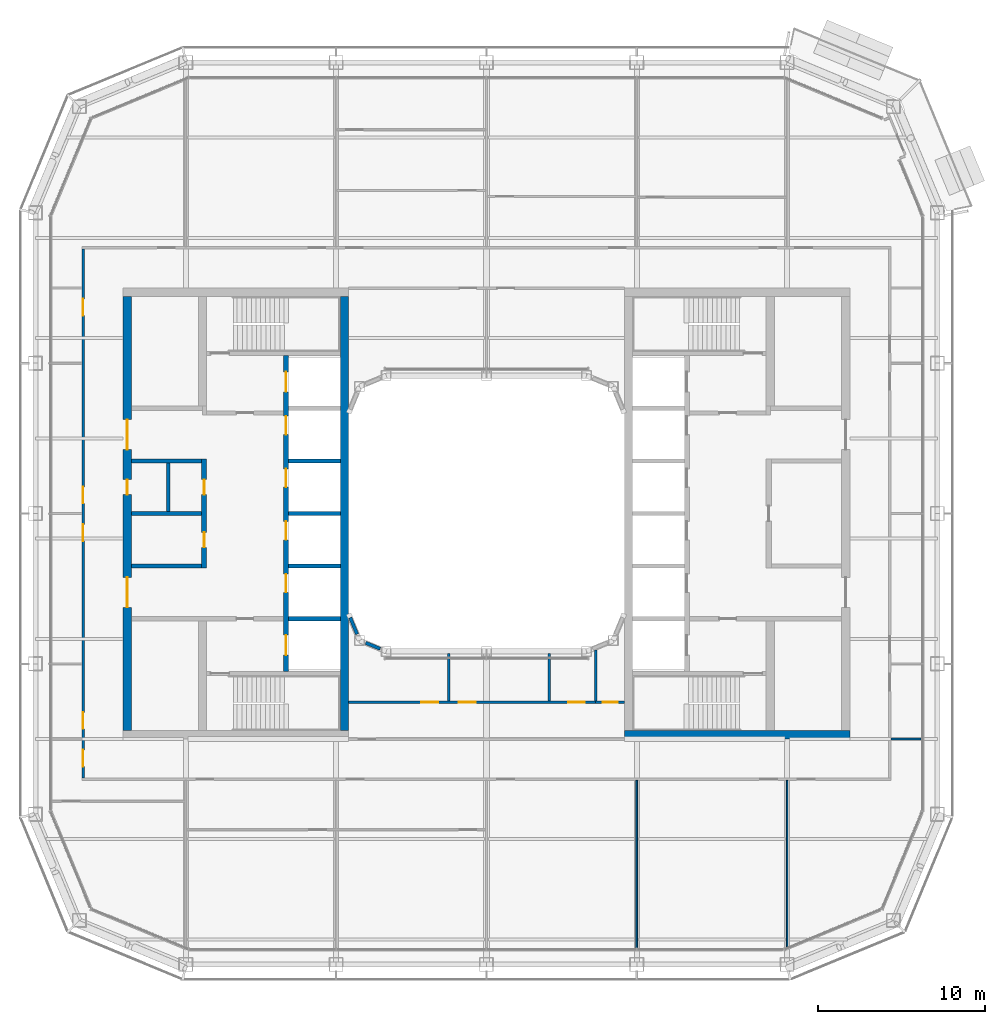
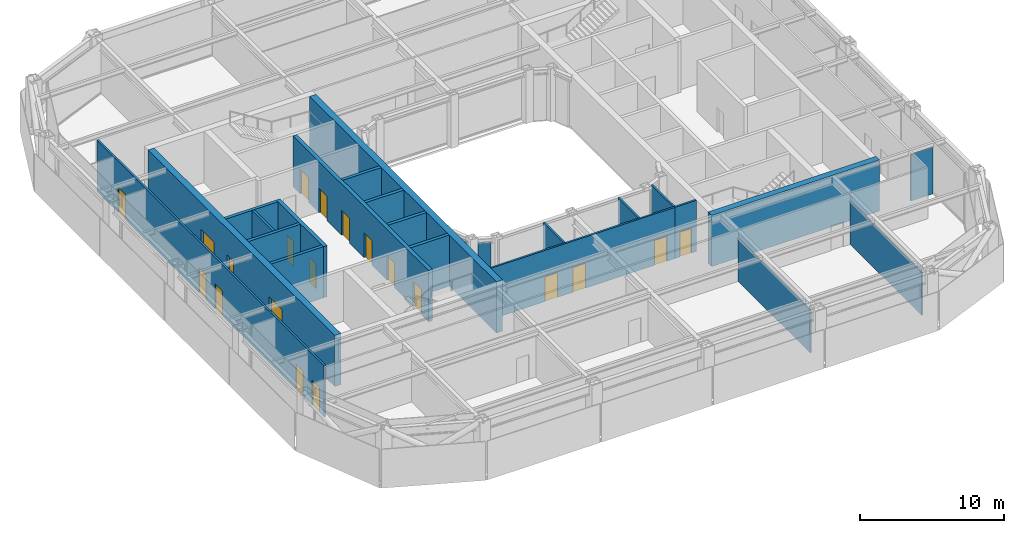
# One storey, part 13 of 23: 24 walls, 20 doors, 20 openings.
"""IFC4 building model written with IfcOpenShell, lengths in metres."""

import ifcopenshell
import ifcopenshell.guid

model = None  # the IFC model being written
_history = None  # IfcOwnerHistory: only IFC2X3 demands one
_inside = {}  # id of a spatial element -> (the spatial element, [elements in it])
_under = {}  # id of a project, library or spatial element -> (it, [spatial elements below it])
_declared = {}  # id of a project -> (the project, [libraries it declares])
_typed = {}  # id of a type object -> (the type object, [elements of that type])
_made_of = {}  # id of a material, layer set ... -> (it, [elements and type objects made of it])


def new_model(schema):
    """Start an empty IFC model of exactly this schema.

    Asked for "IFC4X3", IfcOpenShell would pick the latest addendum, in which some entities
    have other attributes; the version numbers below select the first issue.
    IFC2X3 requires an IfcOwnerHistory on every rooted entity: one is made here for all.
    """
    global model, _history
    if schema == "IFC4X3":
        model = ifcopenshell.file(schema_version=(4, 3, 0, 0))
    else:
        model = ifcopenshell.file(schema=schema)
    _inside.clear()
    _under.clear()
    _declared.clear()
    _typed.clear()
    _made_of.clear()
    _history = None
    if model.schema == "IFC2X3":
        org = make("IfcOrganization", Name="unknown")
        user = make(
            "IfcPersonAndOrganization",
            ThePerson=make("IfcPerson", FamilyName="unknown"),
            TheOrganization=org,
        )
        app = make(
            "IfcApplication",
            ApplicationDeveloper=org,
            Version="unknown",
            ApplicationFullName="unknown",
            ApplicationIdentifier="unknown",
        )
        _history = make(
            "IfcOwnerHistory",
            OwningUser=user,
            OwningApplication=app,
            ChangeAction="ADDED",
            CreationDate=0,
        )
    return model


def make(cls, **values):
    """One entity of the class cls with the attributes given. An attribute that is None is left unset."""
    return model.create_entity(
        cls, **{name: value for name, value in values.items() if value is not None}
    )


def rooted(cls, **values):
    """An entity with a GlobalId (a new one), such as an element, a storey or a relation."""
    return make(cls, GlobalId=ifcopenshell.guid.new(), OwnerHistory=_history, **values)


def si_unit(unit_type, name, prefix=None):
    """IfcSIUnit, for example si_unit("LENGTHUNIT", "METRE", prefix="MILLI")."""
    return make("IfcSIUnit", UnitType=unit_type, Prefix=prefix, Name=name)


def assignment(units):
    """IfcUnitAssignment: the units of a project."""
    return None if units is None else make("IfcUnitAssignment", Units=units)


def point(xyz):
    """IfcCartesianPoint."""
    return None if xyz is None else make("IfcCartesianPoint", Coordinates=xyz)


def direction(xyz):
    """IfcDirection."""
    return None if xyz is None else make("IfcDirection", DirectionRatios=xyz)


def frame(location, z_axis=None, x_axis=None):
    """IfcAxis2Placement3D, a coordinate frame: its origin and axes. An axis left out is left unset."""
    return make(
        "IfcAxis2Placement3D",
        Location=point(location),
        Axis=direction(z_axis),
        RefDirection=direction(x_axis),
    )


def frame_2d(location, x_axis=None):
    """IfcAxis2Placement2D, a coordinate frame in the plane: its origin and x axis."""
    return make(
        "IfcAxis2Placement2D", Location=point(location), RefDirection=direction(x_axis)
    )


def origin():
    """The frame at (0, 0, 0) with its axes left unset."""
    return frame((0.0, 0.0, 0.0))


def place(relative_to, where):
    """IfcLocalPlacement: puts the frame where relative to a parent placement (None: the world)."""
    return make(
        "IfcLocalPlacement", PlacementRelTo=relative_to, RelativePlacement=where
    )


def context(
    kind, dimensions, precision=None, world=None, true_north=None, identifier=None
):
    """IfcGeometricRepresentationContext, for example the 3D "Model" context."""
    return make(
        "IfcGeometricRepresentationContext",
        ContextIdentifier=identifier,
        ContextType=kind,
        CoordinateSpaceDimension=dimensions,
        Precision=precision,
        WorldCoordinateSystem=world,
        TrueNorth=true_north,
    )


def subcontext(parent, identifier, kind, view, scale=None):
    """IfcGeometricRepresentationSubContext, for example "Body" below "Model"."""
    return make(
        "IfcGeometricRepresentationSubContext",
        ContextIdentifier=identifier,
        ContextType=kind,
        ParentContext=parent,
        TargetScale=scale,
        TargetView=view,
    )


def project(units=None, contexts=None):
    """IfcProject with its units and contexts."""
    return rooted(
        "IfcProject",
        Name="project",
        RepresentationContexts=contexts,
        UnitsInContext=assignment(units),
    )


def spatial(cls, under=None, at=None, **own):
    """A site, building, storey or space (cls), placed at a placement, below another one or the project."""
    s = rooted(cls, ObjectPlacement=at, **own)
    if under is not None:
        _under.setdefault(under.id(), (under, []))[1].append(s)
    return s


def profile(cls, at=None, kind="AREA", **sizes):
    """A parametric profile (cls). Its sizes go by their IFC names, for example OverallWidth=200.0."""
    return make(cls, ProfileType=kind, Position=at, **sizes)


def rectangle(**sizes):
    """IfcRectangleProfileDef."""
    return profile("IfcRectangleProfileDef", **sizes)


def extrude(swept, where, along, depth):
    """IfcExtrudedAreaSolid: the profile swept, set in the frame where, extruded along a direction by depth."""
    return make(
        "IfcExtrudedAreaSolid",
        SweptArea=swept,
        Position=where,
        ExtrudedDirection=direction(along),
        Depth=depth,
    )


def shape(context_of_items, identifier, shape_type, items):
    """IfcShapeRepresentation: the items that make up one representation, for example the "Body"."""
    return make(
        "IfcShapeRepresentation",
        ContextOfItems=context_of_items,
        RepresentationIdentifier=identifier,
        RepresentationType=shape_type,
        Items=items,
    )


def material(Name=None, Category=None):
    """IfcMaterial."""
    return make("IfcMaterial", Name=Name, Category=Category)


def layer(
    of_material, thickness, ventilated=None, Name=None, Category=None, Priority=None
):
    """IfcMaterialLayer: one layer of a wall or slab, of a material (None: an air gap)."""
    return make(
        "IfcMaterialLayer",
        Material=of_material,
        LayerThickness=thickness,
        IsVentilated=ventilated,
        Name=Name,
        Category=Category,
        Priority=Priority,
    )


def layer_set(layers, Name=None):
    """IfcMaterialLayerSet."""
    return make("IfcMaterialLayerSet", MaterialLayers=layers, LayerSetName=Name)


def made_of(thing, what):
    """Note that an element or type object is made of a material, layer set ...; save() writes the relation."""
    if what is not None:
        _made_of.setdefault(what.id(), (what, []))[1].append(thing)
    return thing


def type_object(cls, material=None, **own):
    """A type object (cls), such as IfcWallType, which elements share."""
    return made_of(rooted(cls, **own), material)


def element(
    cls,
    number,
    at=None,
    inside=None,
    cuts=None,
    type_object=None,
    material=None,
    context=None,
    identifier="Body",
    shape_type=None,
    held_by="IfcProductDefinitionShape",
    body=None,
    shapes=None,
    **own,
):
    """One element of the class cls, such as IfcWall. Its Tag is "e" and its number.

    at: its placement. inside: the storey or other place that contains it. cuts: it is an
    opening in that element (IfcRelVoidsElement). A single representation is given by context,
    identifier, shape_type and body (its items); several are given by shapes. held_by: the class
    of the entity that holds the representations. save() writes the other relations.
    """
    e = rooted(cls, Tag="e%d" % number, ObjectPlacement=at, **own)
    if body is not None:
        shapes = [shape(context, identifier, shape_type, body)]
    if shapes is not None:
        e.Representation = make(held_by, Representations=shapes)
    if inside is not None:
        _inside.setdefault(inside.id(), (inside, []))[1].append(e)
    if cuts is not None:
        rooted(
            "IfcRelVoidsElement", RelatingBuildingElement=cuts, RelatedOpeningElement=e
        )
    if type_object is not None:
        _typed.setdefault(type_object.id(), (type_object, []))[1].append(e)
    return made_of(e, material)


def fill(opening, filler):
    """IfcRelFillsElement: the door or window that sits in an opening."""
    return rooted(
        "IfcRelFillsElement",
        RelatingOpeningElement=opening,
        RelatedBuildingElement=filler,
    )


def aggregate(whole, parts):
    """IfcRelAggregates: a whole, such as a stair, and the parts it consists of."""
    return rooted("IfcRelAggregates", RelatingObject=whole, RelatedObjects=parts)


def save(model, path):
    """Write the relations noted so far, then the file.

    IfcRelAggregates (storeys below a building ...), IfcRelContainedInSpatialStructure (elements
    in a storey), IfcRelDefinesByType, IfcRelAssociatesMaterial and IfcRelDeclares: one each for
    every whole, place, type object, material and project.
    """
    for whole, parts in _under.values():
        aggregate(whole, parts)
    for where, things in _inside.values():
        rooted(
            "IfcRelContainedInSpatialStructure",
            RelatedElements=things,
            RelatingStructure=where,
        )
    for kind, things in _typed.values():
        rooted("IfcRelDefinesByType", RelatedObjects=things, RelatingType=kind)
    for what, things in _made_of.values():
        rooted("IfcRelAssociatesMaterial", RelatedObjects=things, RelatingMaterial=what)
    for by, libraries in _declared.values():
        rooted("IfcRelDeclares", RelatingContext=by, RelatedDefinitions=libraries)
    model.write(path)


model = new_model("IFC4")

# Units and contexts
model_context = context("Model", 3, precision=1e-05, world=origin(), true_north=direction((0.0, 1.0)))
body_context = subcontext(model_context, "Body", "Model", "MODEL_VIEW")
ifc_project = project(units=[si_unit("LENGTHUNIT", "METRE"), si_unit("AREAUNIT", "SQUARE_METRE"), si_unit("VOLUMEUNIT", "CUBIC_METRE"), si_unit("PLANEANGLEUNIT", "RADIAN"), si_unit("MASSUNIT", "GRAM", prefix="KILO")], contexts=[model_context])

# Site, building, storey
site_placement = place(None, origin())
site = spatial("IfcSite", under=ifc_project, at=site_placement, CompositionType="ELEMENT")
building_placement = place(site_placement, origin())
building = spatial("IfcBuilding", under=site, at=building_placement, Name="Siwar Civic Tower", CompositionType="ELEMENT")
storey_placement = place(building_placement, frame((0.0, 0.0, 206.199951171875)))
storey = spatial("IfcBuildingStorey", under=building, at=storey_placement, Name="L44", CompositionType="ELEMENT", Elevation=206.199951171875)

# Wall, opening, door
ifc_material_1 = material(Name="Gypsum board on steel studs", Category="steel")
ifc_layer_1 = layer(ifc_material_1, 0.14990234375)
ifc_layer_set_1 = layer_set([ifc_layer_1], Name="Gypsum board on steel studs")
wall_type_1 = type_object("IfcWallType", Name="COMPARTMENT PARTITION 150 EI 60", PredefinedType="PARTITIONING", material=ifc_layer_set_1)
wall_1_placement = place(storey_placement, frame((6.5400390625, -11.300048828125, 0.0), z_axis=(0.0, 0.0, 1.0), x_axis=(1.0, 0.0, 0.0)))
wall_1 = element("IfcWall", 1, at=wall_1_placement, inside=storey, type_object=wall_type_1, Name="L44/wall/P08", PredefinedType="PARTITIONING", context=body_context, shape_type="SweptSolid", body=[
    extrude(rectangle(XDim=1.7099609375, YDim=0.14990234375, at=frame_2d((0.85498046875, 0.0))), origin(), (0.0, 0.0, 1.0), 4.35009765625),
])
opening_1_placement = place(wall_1_placement, frame((0.409912109375, 0.0, 0.0)))
opening_1 = element("IfcOpeningElement", 2, at=opening_1_placement, cuts=wall_1, Name="Opening D4", PredefinedType="OPENING", context=body_context, shape_type="SweptSolid", body=[
    extrude(rectangle(XDim=0.89990234375, YDim=2.10009765625, at=frame_2d((0.449951171875, 1.050048828125))), frame((0.0, 0.0849609375, 0.0), z_axis=(0.0, -1.0, 0.0), x_axis=(1.0, 0.0, 0.0)), (0.0, 0.0, 1.0), 0.169921875),
])
ifc_material_2 = material(Name="Timber, painted", Category="wood")
door_type_1 = type_object("IfcDoorType", Name="DOOR 900 X 2100 FD60", OperationType="SINGLE_SWING_LEFT", PredefinedType="DOOR", material=ifc_material_2)
door_1_placement = place(opening_1_placement, origin())
door_1 = element("IfcDoor", 3, at=door_1_placement, inside=storey, type_object=door_type_1, Name="L44-D34", OperationType="SINGLE_SWING_RIGHT", OverallHeight=2.10009765625, OverallWidth=0.89990234375, PredefinedType="DOOR", context=body_context, shape_type="SweptSolid", body=[
    extrude(rectangle(XDim=0.89990234375, YDim=2.10009765625, at=frame_2d((0.449951171875, 1.050048828125))), frame((0.0, 0.02490234375, 0.0), z_axis=(0.0, -1.0, 0.0), x_axis=(1.0, 0.0, 0.0)), (0.0, 0.0, 1.0), 0.050048828125),
])
fill(opening_1, door_1)

# Walls
wall_2_placement = place(storey_placement, frame((6.5400390625, -11.22509765625, 0.0), z_axis=(0.0, 0.0, 1.0), x_axis=(0.0, 1.0, 0.0)))
element("IfcWall", 4, at=wall_2_placement, inside=storey, type_object=wall_type_1, Name="L44/wall/P34", PredefinedType="PARTITIONING", context=body_context, shape_type="SweptSolid", body=[
    extrude(rectangle(XDim=3.0390625, YDim=0.14990234375, at=frame_2d((1.51953125, 0.0))), origin(), (0.0, 0.0, 1.0), 4.35009765625),
])
ifc_material_3 = material(Name="Gypsum board on steel studs", Category="steel")
ifc_layer_2 = layer(ifc_material_3, 0.199951171875)
ifc_layer_set_2 = layer_set([ifc_layer_2], Name="Gypsum board on steel studs")
wall_type_2 = type_object("IfcWallType", Name="CORE-PARTITION-200", PredefinedType="PARTITIONING", material=ifc_layer_set_2)
wall_3_placement = place(storey_placement, frame((-19.050048828125, 0.125, 0.0), z_axis=(0.0, 0.0, 1.0), x_axis=(0.0, 1.0, 0.0)))
element("IfcWall", 5, at=wall_3_placement, inside=storey, type_object=wall_type_2, Name="Core partition W", PredefinedType="PARTITIONING", context=body_context, shape_type="SweptSolid", body=[
    extrude(rectangle(XDim=2.89990234375, YDim=0.199951171875, at=frame_2d((1.449951171875, 0.0))), origin(), (0.0, 0.0, 1.0), 4.35009765625),
])
ifc_material_4 = material(Name="Concrete C60/75", Category="concrete")
ifc_layer_3 = layer(ifc_material_4, 0.25)
ifc_layer_set_3 = layer_set([ifc_layer_3], Name="Concrete C60/75")
wall_type_3 = type_object("IfcWallType", Name="CORE-WALL-RC250", PredefinedType="SHEAR", material=ifc_layer_set_3)
for number, where, z_axis, x_axis, name in (
    (6, (-17.050048828125, 0.0, 0.0), (0.0, 0.0, 1.0), (-1.0, 0.0, 0.0), "Core wall W"),
    (7, (-17.050048828125, 3.14990234375, 0.0), (0.0, 0.0, 1.0), (-1.0, 0.0, 0.0), "Core wall W"),
    (8, (-17.050048828125, -3.14990234375, 0.0), (0.0, 0.0, 1.0), (-1.0, 0.0, 0.0), "Core wall W"),
):
    element("IfcWall", number, at=place(storey_placement, frame(where, z_axis=z_axis, x_axis=x_axis)), inside=storey, type_object=wall_type_3, Name=name, PredefinedType="SHEAR", context=body_context, shape_type="SweptSolid", body=[
        extrude(rectangle(XDim=4.199951171875, YDim=0.25, at=frame_2d((2.10009765625, 0.0))), origin(), (0.0, 0.0, 1.0), 4.35009765625),
    ])
for number, where, z_axis, x_axis, name in (
    (9, (-8.75, 0.0, 0.0), (0.0, 0.0, 1.0), (-1.0, 0.0, 0.0), "Core wall W"),
    (10, (-8.75, 3.14990234375, 0.0), (0.0, 0.0, 1.0), (-1.0, 0.0, 0.0), "Core wall W"),
    (11, (-8.75, -3.14990234375, 0.0), (0.0, 0.0, 1.0), (-1.0, 0.0, 0.0), "Core wall W"),
    (12, (-8.75, -6.300048828125, 0.0), (0.0, 0.0, 1.0), (-1.0, 0.0, 0.0), "Core wall W"),
):
    element("IfcWall", number, at=place(storey_placement, frame(where, z_axis=z_axis, x_axis=x_axis)), inside=storey, type_object=wall_type_3, Name=name, PredefinedType="SHEAR", context=body_context, shape_type="SweptSolid", body=[
        extrude(rectangle(XDim=3.10009765625, YDim=0.25, at=frame_2d((1.550048828125, 0.0))), origin(), (0.0, 0.0, 1.0), 4.35009765625),
    ])

# Wall, openings, doors
ifc_material_5 = material(Name="Concrete C60/75", Category="concrete")
ifc_layer_4 = layer(ifc_material_5, 0.300048828125)
ifc_layer_set_4 = layer_set([ifc_layer_4], Name="Concrete C60/75")
wall_type_4 = type_object("IfcWallType", Name="CORE-WALL-RC300", PredefinedType="SHEAR", material=ifc_layer_set_4)
wall_4_placement = place(storey_placement, frame((-12.0, -9.449951171875, 0.0), z_axis=(0.0, 0.0, 1.0), x_axis=(0.0, 1.0, 0.0)))
wall_4 = element("IfcWall", 13, at=wall_4_placement, inside=storey, type_object=wall_type_4, Name="Core wall W", PredefinedType="SHEAR", context=body_context, shape_type="SweptSolid", body=[
    extrude(rectangle(XDim=18.89990234375, YDim=0.300048828125, at=frame_2d((9.449951171875, 0.0))), origin(), (0.0, 0.0, 1.0), 4.35009765625),
])
opening_2_placement = place(wall_4_placement, frame((4.72509765625, 0.0, 0.0)))
opening_2 = element("IfcOpeningElement", 14, at=opening_2_placement, cuts=wall_4, Name="Opening L44-CW07", PredefinedType="OPENING", context=body_context, shape_type="SweptSolid", body=[
    extrude(rectangle(XDim=1.10009765625, YDim=2.10009765625, at=frame_2d((0.550048828125, 1.050048828125))), frame((0.0, 0.16015625, 0.0), z_axis=(0.0, -1.0, 0.0), x_axis=(1.0, 0.0, 0.0)), (0.0, 0.0, 1.0), 0.320068359375),
])
opening_3_placement = place(wall_4_placement, frame((7.875, 0.0, 0.0)))
opening_3 = element("IfcOpeningElement", 15, at=opening_3_placement, cuts=wall_4, Name="Opening L44-CW08", PredefinedType="OPENING", context=body_context, shape_type="SweptSolid", body=[
    extrude(rectangle(XDim=1.10009765625, YDim=2.10009765625, at=frame_2d((0.550048828125, 1.050048828125))), frame((0.0, 0.16015625, 0.0), z_axis=(0.0, -1.0, 0.0), x_axis=(1.0, 0.0, 0.0)), (0.0, 0.0, 1.0), 0.320068359375),
])
opening_4_placement = place(wall_4_placement, frame((11.02490234375, 0.0, 0.0)))
opening_4 = element("IfcOpeningElement", 16, at=opening_4_placement, cuts=wall_4, Name="Opening L44-CW09", PredefinedType="OPENING", context=body_context, shape_type="SweptSolid", body=[
    extrude(rectangle(XDim=1.10009765625, YDim=2.10009765625, at=frame_2d((0.550048828125, 1.050048828125))), frame((0.0, 0.16015625, 0.0), z_axis=(0.0, -1.0, 0.0), x_axis=(1.0, 0.0, 0.0)), (0.0, 0.0, 1.0), 0.320068359375),
])
opening_5_placement = place(wall_4_placement, frame((14.175048828125, 0.0, 0.0)))
opening_5 = element("IfcOpeningElement", 17, at=opening_5_placement, cuts=wall_4, Name="Opening L44-CW10", PredefinedType="OPENING", context=body_context, shape_type="SweptSolid", body=[
    extrude(rectangle(XDim=1.10009765625, YDim=2.10009765625, at=frame_2d((0.550048828125, 1.050048828125))), frame((0.0, 0.16015625, 0.0), z_axis=(0.0, -1.0, 0.0), x_axis=(1.0, 0.0, 0.0)), (0.0, 0.0, 1.0), 0.320068359375),
])
opening_6_placement = place(wall_4_placement, frame((16.72509765625, 0.0, 0.0)))
opening_6 = element("IfcOpeningElement", 18, at=opening_6_placement, cuts=wall_4, Name="Opening L44-CW11", PredefinedType="OPENING", context=body_context, shape_type="SweptSolid", body=[
    extrude(rectangle(XDim=1.199951171875, YDim=2.10009765625, at=frame_2d((0.60009765625, 1.050048828125))), frame((0.0, 0.16015625, 0.0), z_axis=(0.0, -1.0, 0.0), x_axis=(1.0, 0.0, 0.0)), (0.0, 0.0, 1.0), 0.320068359375),
])
opening_7_placement = place(wall_4_placement, frame((0.97509765625, 0.0, 0.0)))
opening_7 = element("IfcOpeningElement", 19, at=opening_7_placement, cuts=wall_4, Name="Opening L44-CW12", PredefinedType="OPENING", context=body_context, shape_type="SweptSolid", body=[
    extrude(rectangle(XDim=1.199951171875, YDim=2.10009765625, at=frame_2d((0.60009765625, 1.050048828125))), frame((0.0, 0.16015625, 0.0), z_axis=(0.0, -1.0, 0.0), x_axis=(1.0, 0.0, 0.0)), (0.0, 0.0, 1.0), 0.320068359375),
])
ifc_material_6 = material(Name="Steel door leaf", Category="steel")
door_type_2 = type_object("IfcDoorType", Name="CORE-DOOR-LD", OperationType="DOUBLE_DOOR_SLIDING", PredefinedType="DOOR", material=ifc_material_6)
door_2_placement = place(opening_2_placement, origin())
door_2 = element("IfcDoor", 20, at=door_2_placement, inside=storey, type_object=door_type_2, Name="Landing door HR1 L44-CW07", OperationType="DOUBLE_DOOR_SLIDING", OverallHeight=2.10009765625, OverallWidth=1.10009765625, PredefinedType="DOOR", context=body_context, shape_type="SweptSolid", body=[
    extrude(rectangle(XDim=1.10009765625, YDim=2.10009765625, at=frame_2d((0.550048828125, 1.050048828125))), frame((0.0, 0.02490234375, 0.0), z_axis=(0.0, -1.0, 0.0), x_axis=(1.0, 0.0, 0.0)), (0.0, 0.0, 1.0), 0.050048828125),
])
fill(opening_2, door_2)
door_3_placement = place(opening_3_placement, origin())
door_3 = element("IfcDoor", 21, at=door_3_placement, inside=storey, type_object=door_type_2, Name="Landing door HR2 L44-CW08", OperationType="DOUBLE_DOOR_SLIDING", OverallHeight=2.10009765625, OverallWidth=1.10009765625, PredefinedType="DOOR", context=body_context, shape_type="SweptSolid", body=[
    extrude(rectangle(XDim=1.10009765625, YDim=2.10009765625, at=frame_2d((0.550048828125, 1.050048828125))), frame((0.0, 0.02490234375, 0.0), z_axis=(0.0, -1.0, 0.0), x_axis=(1.0, 0.0, 0.0)), (0.0, 0.0, 1.0), 0.050048828125),
])
fill(opening_3, door_3)
door_4_placement = place(opening_4_placement, origin())
door_4 = element("IfcDoor", 22, at=door_4_placement, inside=storey, type_object=door_type_2, Name="Landing door HR3 L44-CW09", OperationType="DOUBLE_DOOR_SLIDING", OverallHeight=2.10009765625, OverallWidth=1.10009765625, PredefinedType="DOOR", context=body_context, shape_type="SweptSolid", body=[
    extrude(rectangle(XDim=1.10009765625, YDim=2.10009765625, at=frame_2d((0.550048828125, 1.050048828125))), frame((0.0, 0.02490234375, 0.0), z_axis=(0.0, -1.0, 0.0), x_axis=(1.0, 0.0, 0.0)), (0.0, 0.0, 1.0), 0.050048828125),
])
fill(opening_4, door_4)
door_5_placement = place(opening_5_placement, origin())
door_5 = element("IfcDoor", 23, at=door_5_placement, inside=storey, type_object=door_type_2, Name="Landing door HR4 L44-CW10", OperationType="DOUBLE_DOOR_SLIDING", OverallHeight=2.10009765625, OverallWidth=1.10009765625, PredefinedType="DOOR", context=body_context, shape_type="SweptSolid", body=[
    extrude(rectangle(XDim=1.10009765625, YDim=2.10009765625, at=frame_2d((0.550048828125, 1.050048828125))), frame((0.0, 0.02490234375, 0.0), z_axis=(0.0, -1.0, 0.0), x_axis=(1.0, 0.0, 0.0)), (0.0, 0.0, 1.0), 0.050048828125),
])
fill(opening_5, door_5)
ifc_material_7 = material(Name="Steel door leaf", Category="steel")
door_type_3 = type_object("IfcDoorType", Name="CORE-DOOR-LDW", OperationType="DOUBLE_DOOR_SLIDING", PredefinedType="DOOR", material=ifc_material_7)
door_6_placement = place(opening_6_placement, origin())
door_6 = element("IfcDoor", 24, at=door_6_placement, inside=storey, type_object=door_type_3, Name="Landing door FF1 L44-CW11", OperationType="DOUBLE_DOOR_SLIDING", OverallHeight=2.10009765625, OverallWidth=1.199951171875, PredefinedType="DOOR", context=body_context, shape_type="SweptSolid", body=[
    extrude(rectangle(XDim=1.199951171875, YDim=2.10009765625, at=frame_2d((0.60009765625, 1.050048828125))), frame((0.0, 0.02490234375, 0.0), z_axis=(0.0, -1.0, 0.0), x_axis=(1.0, 0.0, 0.0)), (0.0, 0.0, 1.0), 0.050048828125),
])
fill(opening_6, door_6)
door_7_placement = place(opening_7_placement, origin())
door_7 = element("IfcDoor", 25, at=door_7_placement, inside=storey, type_object=door_type_3, Name="Landing door SV1 L44-CW12", OperationType="DOUBLE_DOOR_SLIDING", OverallHeight=2.10009765625, OverallWidth=1.199951171875, PredefinedType="DOOR", context=body_context, shape_type="SweptSolid", body=[
    extrude(rectangle(XDim=1.199951171875, YDim=2.10009765625, at=frame_2d((0.60009765625, 1.050048828125))), frame((0.0, 0.02490234375, 0.0), z_axis=(0.0, -1.0, 0.0), x_axis=(1.0, 0.0, 0.0)), (0.0, 0.0, 1.0), 0.050048828125),
])
fill(opening_7, door_7)

wall_5_placement = place(storey_placement, frame((-16.89990234375, -3.27490234375, 0.0), z_axis=(0.0, 0.0, 1.0), x_axis=(0.0, 1.0, 0.0)))
wall_5 = element("IfcWall", 26, at=wall_5_placement, inside=storey, type_object=wall_type_4, Name="Core wall W", PredefinedType="SHEAR", context=body_context, shape_type="SweptSolid", body=[
    extrude(rectangle(XDim=6.5498046875, YDim=0.300048828125, at=frame_2d((3.27490234375, 0.0))), origin(), (0.0, 0.0, 1.0), 4.35009765625),
])
opening_8_placement = place(wall_5_placement, frame((1.25, 0.0, 0.0)))
opening_8 = element("IfcOpeningElement", 27, at=opening_8_placement, cuts=wall_5, Name="Opening L44-CW13", PredefinedType="OPENING", context=body_context, shape_type="SweptSolid", body=[
    extrude(rectangle(XDim=0.89990234375, YDim=2.10009765625, at=frame_2d((0.449951171875, 1.050048828125))), frame((0.0, 0.16015625, 0.0), z_axis=(0.0, -1.0, 0.0), x_axis=(1.0, 0.0, 0.0)), (0.0, 0.0, 1.0), 0.320068359375),
])
opening_9_placement = place(wall_5_placement, frame((4.39990234375, 0.0, 0.0)))
opening_9 = element("IfcOpeningElement", 28, at=opening_9_placement, cuts=wall_5, Name="Opening L44-CW14", PredefinedType="OPENING", context=body_context, shape_type="SweptSolid", body=[
    extrude(rectangle(XDim=0.89990234375, YDim=2.10009765625, at=frame_2d((0.449951171875, 1.050048828125))), frame((0.0, 0.16015625, 0.0), z_axis=(0.0, -1.0, 0.0), x_axis=(1.0, 0.0, 0.0)), (0.0, 0.0, 1.0), 0.320068359375),
])
ifc_material_8 = material(Name="Steel door leaf", Category="steel")
door_type_4 = type_object("IfcDoorType", Name="CORE-DOOR-ROOM", OperationType="SINGLE_SWING_LEFT", PredefinedType="DOOR", material=ifc_material_8)
door_8_placement = place(opening_8_placement, origin())
door_8 = element("IfcDoor", 29, at=door_8_placement, inside=storey, type_object=door_type_4, Name="Core room door L44-CW13", OperationType="SINGLE_SWING_LEFT", OverallHeight=2.10009765625, OverallWidth=0.89990234375, PredefinedType="DOOR", context=body_context, shape_type="SweptSolid", body=[
    extrude(rectangle(XDim=0.89990234375, YDim=2.10009765625, at=frame_2d((0.449951171875, 1.050048828125))), frame((0.0, 0.02490234375, 0.0), z_axis=(0.0, -1.0, 0.0), x_axis=(1.0, 0.0, 0.0)), (0.0, 0.0, 1.0), 0.050048828125),
])
fill(opening_8, door_8)
door_9_placement = place(opening_9_placement, origin())
door_9 = element("IfcDoor", 30, at=door_9_placement, inside=storey, type_object=door_type_4, Name="Core room door L44-CW14", OperationType="SINGLE_SWING_RIGHT", OverallHeight=2.10009765625, OverallWidth=0.89990234375, PredefinedType="DOOR", context=body_context, shape_type="SweptSolid", body=[
    extrude(rectangle(XDim=0.89990234375, YDim=2.10009765625, at=frame_2d((0.449951171875, 1.050048828125))), frame((0.0, 0.02490234375, 0.0), z_axis=(0.0, -1.0, 0.0), x_axis=(1.0, 0.0, 0.0)), (0.0, 0.0, 1.0), 0.050048828125),
])
fill(opening_9, door_9)

ifc_material_9 = material(Name="Concrete C60/75", Category="concrete")
ifc_layer_5 = layer(ifc_material_9, 0.5)
ifc_layer_set_5 = layer_set([ifc_layer_5], Name="Concrete C60/75")
wall_type_5 = type_object("IfcWallType", Name="CORE-WALL-RC500", PredefinedType="SHEAR", material=ifc_layer_set_5)
wall_6_placement = place(storey_placement, frame((-21.5, -13.0, 0.0), z_axis=(0.0, 0.0, 1.0), x_axis=(0.0, 1.0, 0.0)))
wall_6 = element("IfcWall", 31, at=wall_6_placement, inside=storey, type_object=wall_type_5, Name="Core wall W", PredefinedType="SHEAR", context=body_context, shape_type="SweptSolid", body=[
    extrude(rectangle(XDim=26.0, YDim=0.5, at=frame_2d((13.0, 0.0))), origin(), (0.0, 0.0, 1.0), 4.35009765625),
])
opening_10_placement = place(wall_6_placement, frame((16.824951171875, 0.0, 0.0)))
opening_10 = element("IfcOpeningElement", 32, at=opening_10_placement, cuts=wall_6, Name="Opening L44-CW05", PredefinedType="OPENING", context=body_context, shape_type="SweptSolid", body=[
    extrude(rectangle(XDim=1.800048828125, YDim=2.10009765625, at=frame_2d((0.89990234375, 1.050048828125))), frame((0.0, 0.260009765625, 0.0), z_axis=(0.0, -1.0, 0.0), x_axis=(1.0, 0.0, 0.0)), (0.0, 0.0, 1.0), 0.52001953125),
])
opening_11_placement = place(wall_6_placement, frame((7.375, 0.0, 0.0)))
opening_11 = element("IfcOpeningElement", 33, at=opening_11_placement, cuts=wall_6, Name="Opening L44-CW06", PredefinedType="OPENING", context=body_context, shape_type="SweptSolid", body=[
    extrude(rectangle(XDim=1.800048828125, YDim=2.10009765625, at=frame_2d((0.89990234375, 1.050048828125))), frame((0.0, 0.260009765625, 0.0), z_axis=(0.0, -1.0, 0.0), x_axis=(1.0, 0.0, 0.0)), (0.0, 0.0, 1.0), 0.52001953125),
])
opening_12_placement = place(wall_6_placement, frame((14.125, 0.0, 0.0)))
opening_12 = element("IfcOpeningElement", 34, at=opening_12_placement, cuts=wall_6, Name="Opening L44-CW15", PredefinedType="OPENING", context=body_context, shape_type="SweptSolid", body=[
    extrude(rectangle(XDim=0.89990234375, YDim=2.10009765625, at=frame_2d((0.449951171875, 1.050048828125))), frame((0.0, 0.260009765625, 0.0), z_axis=(0.0, -1.0, 0.0), x_axis=(1.0, 0.0, 0.0)), (0.0, 0.0, 1.0), 0.52001953125),
])
ifc_material_10 = material(Name="Steel door leaf", Category="steel")
door_type_5 = type_object("IfcDoorType", Name="CORE-DOOR-PORT", OperationType="DOUBLE_DOOR_DOUBLE_SWING", PredefinedType="DOOR", material=ifc_material_10)
door_10_placement = place(opening_10_placement, origin())
door_10 = element("IfcDoor", 35, at=door_10_placement, inside=storey, type_object=door_type_5, Name="Core entrance door L44-CW05", OperationType="DOUBLE_DOOR_DOUBLE_SWING", OverallHeight=2.10009765625, OverallWidth=1.800048828125, PredefinedType="DOOR", context=body_context, shape_type="SweptSolid", body=[
    extrude(rectangle(XDim=1.800048828125, YDim=2.10009765625, at=frame_2d((0.89990234375, 1.050048828125))), frame((0.0, 0.02490234375, 0.0), z_axis=(0.0, -1.0, 0.0), x_axis=(1.0, 0.0, 0.0)), (0.0, 0.0, 1.0), 0.050048828125),
])
fill(opening_10, door_10)
door_11_placement = place(opening_11_placement, origin())
door_11 = element("IfcDoor", 36, at=door_11_placement, inside=storey, type_object=door_type_5, Name="Core entrance door L44-CW06", OperationType="DOUBLE_DOOR_DOUBLE_SWING", OverallHeight=2.10009765625, OverallWidth=1.800048828125, PredefinedType="DOOR", context=body_context, shape_type="SweptSolid", body=[
    extrude(rectangle(XDim=1.800048828125, YDim=2.10009765625, at=frame_2d((0.89990234375, 1.050048828125))), frame((0.0, 0.02490234375, 0.0), z_axis=(0.0, -1.0, 0.0), x_axis=(1.0, 0.0, 0.0)), (0.0, 0.0, 1.0), 0.050048828125),
])
fill(opening_11, door_11)
door_12_placement = place(opening_12_placement, origin())
door_12 = element("IfcDoor", 37, at=door_12_placement, inside=storey, type_object=door_type_4, Name="Core room door L44-CW15", OperationType="SINGLE_SWING_LEFT", OverallHeight=2.10009765625, OverallWidth=0.89990234375, PredefinedType="DOOR", context=body_context, shape_type="SweptSolid", body=[
    extrude(rectangle(XDim=0.89990234375, YDim=2.10009765625, at=frame_2d((0.449951171875, 1.050048828125))), frame((0.0, 0.02490234375, 0.0), z_axis=(0.0, -1.0, 0.0), x_axis=(1.0, 0.0, 0.0)), (0.0, 0.0, 1.0), 0.050048828125),
])
fill(opening_12, door_12)

# Walls
wall_7_placement = place(storey_placement, frame((8.25, -13.25, 0.0), z_axis=(0.0, 0.0, 1.0), x_axis=(1.0, 0.0, 0.0)))
element("IfcWall", 38, at=wall_7_placement, inside=storey, type_object=wall_type_5, Name="Core wall E", PredefinedType="SHEAR", context=body_context, shape_type="SweptSolid", body=[
    extrude(rectangle(XDim=13.5, YDim=0.5, at=frame_2d((6.75, 0.0))), origin(), (0.0, 0.0, 1.0), 4.35009765625),
])
ifc_material_11 = material(Name="Concrete C60/75", Category="concrete")
ifc_layer_6 = layer(ifc_material_11, 0.5)
ifc_layer_set_6 = layer_set([ifc_layer_6], Name="Concrete C60/75")
wall_type_6 = type_object("IfcWallType", Name="CORE-WALL-RC500-EXT", PredefinedType="SHEAR", material=ifc_layer_set_6)
wall_8_placement = place(storey_placement, frame((-8.5, -13.0, 0.0), z_axis=(0.0, 0.0, 1.0), x_axis=(0.0, 1.0, 0.0)))
element("IfcWall", 39, at=wall_8_placement, inside=storey, type_object=wall_type_6, Name="Core wall W", PredefinedType="SHEAR", context=body_context, shape_type="SweptSolid", body=[
    extrude(rectangle(XDim=26.0, YDim=0.5, at=frame_2d((13.0, 0.0))), origin(), (0.0, 0.0, 1.0), 4.35009765625),
])

# Wall, openings, doors
ifc_material_12 = material(Name="Gypsum board on steel studs", Category="steel")
ifc_layer_7 = layer(ifc_material_12, 0.14990234375)
ifc_layer_set_7 = layer_set([ifc_layer_7], Name="Gypsum board on steel studs")
wall_type_7 = type_object("IfcWallType", Name="CORRIDOR PARTITION 150 EI 30", PredefinedType="PARTITIONING", material=ifc_layer_set_7)
wall_9_placement = place(storey_placement, frame((-8.25, -11.300048828125, 0.0), z_axis=(0.0, 0.0, 1.0), x_axis=(1.0, 0.0, 0.0)))
wall_9 = element("IfcWall", 40, at=wall_9_placement, inside=storey, type_object=wall_type_7, Name="L44/wall/P07", PredefinedType="PARTITIONING", context=body_context, shape_type="SweptSolid", body=[
    extrude(rectangle(XDim=14.7900390625, YDim=0.14990234375, at=frame_2d((7.39501953125, 0.0))), origin(), (0.0, 0.0, 1.0), 4.35009765625),
])
opening_13_placement = place(wall_9_placement, frame((4.35009765625, 0.0, 0.0)))
opening_13 = element("IfcOpeningElement", 41, at=opening_13_placement, cuts=wall_9, Name="Opening D3", PredefinedType="OPENING", context=body_context, shape_type="SweptSolid", body=[
    extrude(rectangle(XDim=1.0, YDim=2.10009765625, at=frame_2d((0.5, 1.050048828125))), frame((0.0, 0.0849609375, 0.0), z_axis=(0.0, -1.0, 0.0), x_axis=(1.0, 0.0, 0.0)), (0.0, 0.0, 1.0), 0.169921875),
])
opening_14_placement = place(wall_9_placement, frame((6.60009765625, 0.0, 0.0)))
opening_14 = element("IfcOpeningElement", 42, at=opening_14_placement, cuts=wall_9, Name="Opening D3", PredefinedType="OPENING", context=body_context, shape_type="SweptSolid", body=[
    extrude(rectangle(XDim=1.0, YDim=2.10009765625, at=frame_2d((0.5, 1.050048828125))), frame((0.0, 0.0849609375, 0.0), z_axis=(0.0, -1.0, 0.0), x_axis=(1.0, 0.0, 0.0)), (0.0, 0.0, 1.0), 0.169921875),
])
opening_15_placement = place(wall_9_placement, frame((13.139892578125, 0.0, 0.0)))
opening_15 = element("IfcOpeningElement", 43, at=opening_15_placement, cuts=wall_9, Name="Opening D3", PredefinedType="OPENING", context=body_context, shape_type="SweptSolid", body=[
    extrude(rectangle(XDim=1.0, YDim=2.10009765625, at=frame_2d((0.5, 1.050048828125))), frame((0.0, 0.0849609375, 0.0), z_axis=(0.0, -1.0, 0.0), x_axis=(1.0, 0.0, 0.0)), (0.0, 0.0, 1.0), 0.169921875),
])
ifc_material_13 = material(Name="Timber, painted", Category="wood")
door_type_6 = type_object("IfcDoorType", Name="DOOR 1000 X 2100 WC", OperationType="SINGLE_SWING_LEFT", PredefinedType="DOOR", material=ifc_material_13)
door_13_placement = place(opening_13_placement, origin())
door_13 = element("IfcDoor", 44, at=door_13_placement, inside=storey, type_object=door_type_6, Name="L44-D31", OperationType="SINGLE_SWING_LEFT", OverallHeight=2.10009765625, OverallWidth=1.0, PredefinedType="DOOR", context=body_context, shape_type="SweptSolid", body=[
    extrude(rectangle(XDim=1.0, YDim=2.10009765625, at=frame_2d((0.5, 1.050048828125))), frame((0.0, 0.02490234375, 0.0), z_axis=(0.0, -1.0, 0.0), x_axis=(1.0, 0.0, 0.0)), (0.0, 0.0, 1.0), 0.050048828125),
])
fill(opening_13, door_13)
door_14_placement = place(opening_14_placement, origin())
door_14 = element("IfcDoor", 45, at=door_14_placement, inside=storey, type_object=door_type_6, Name="L44-D32", OperationType="SINGLE_SWING_RIGHT", OverallHeight=2.10009765625, OverallWidth=1.0, PredefinedType="DOOR", context=body_context, shape_type="SweptSolid", body=[
    extrude(rectangle(XDim=1.0, YDim=2.10009765625, at=frame_2d((0.5, 1.050048828125))), frame((0.0, 0.02490234375, 0.0), z_axis=(0.0, -1.0, 0.0), x_axis=(1.0, 0.0, 0.0)), (0.0, 0.0, 1.0), 0.050048828125),
])
fill(opening_14, door_14)
door_15_placement = place(opening_15_placement, origin())
door_15 = element("IfcDoor", 46, at=door_15_placement, inside=storey, type_object=door_type_6, Name="L44-D33", OperationType="SINGLE_SWING_LEFT", OverallHeight=2.10009765625, OverallWidth=1.0, PredefinedType="DOOR", context=body_context, shape_type="SweptSolid", body=[
    extrude(rectangle(XDim=1.0, YDim=2.10009765625, at=frame_2d((0.5, 1.050048828125))), frame((0.0, 0.02490234375, 0.0), z_axis=(0.0, -1.0, 0.0), x_axis=(1.0, 0.0, 0.0)), (0.0, 0.0, 1.0), 0.050048828125),
])
fill(opening_15, door_15)

wall_10_placement = place(storey_placement, frame((-24.14990234375, -15.824951171875, 0.0), z_axis=(0.0, 0.0, 1.0), x_axis=(0.0, 1.0, 0.0)))
wall_10 = element("IfcWall", 47, at=wall_10_placement, inside=storey, type_object=wall_type_7, Name="L44/wall/P23", PredefinedType="PARTITIONING", context=body_context, shape_type="SweptSolid", body=[
    extrude(rectangle(XDim=31.64990234375, YDim=0.14990234375, at=frame_2d((15.824951171875, 0.0))), origin(), (0.0, 0.0, 1.0), 4.35009765625),
])
opening_16_placement = place(wall_10_placement, frame((0.675048828125, 0.0, 0.0)))
opening_16 = element("IfcOpeningElement", 48, at=opening_16_placement, cuts=wall_10, Name="Opening D1", PredefinedType="OPENING", context=body_context, shape_type="SweptSolid", body=[
    extrude(rectangle(XDim=1.0, YDim=2.10009765625, at=frame_2d((0.5, 1.050048828125))), frame((0.0, 0.0849609375, 0.0), z_axis=(0.0, -1.0, 0.0), x_axis=(1.0, 0.0, 0.0)), (0.0, 0.0, 1.0), 0.169921875),
])
opening_17_placement = place(wall_10_placement, frame((2.925048828125, 0.0, 0.0)))
opening_17 = element("IfcOpeningElement", 49, at=opening_17_placement, cuts=wall_10, Name="Opening D1", PredefinedType="OPENING", context=body_context, shape_type="SweptSolid", body=[
    extrude(rectangle(XDim=1.0, YDim=2.10009765625, at=frame_2d((0.5, 1.050048828125))), frame((0.0, 0.0849609375, 0.0), z_axis=(0.0, -1.0, 0.0), x_axis=(1.0, 0.0, 0.0)), (0.0, 0.0, 1.0), 0.169921875),
])
opening_18_placement = place(wall_10_placement, frame((14.175048828125, 0.0, 0.0)))
opening_18 = element("IfcOpeningElement", 50, at=opening_18_placement, cuts=wall_10, Name="Opening D1", PredefinedType="OPENING", context=body_context, shape_type="SweptSolid", body=[
    extrude(rectangle(XDim=1.0, YDim=2.10009765625, at=frame_2d((0.5, 1.050048828125))), frame((0.0, 0.0849609375, 0.0), z_axis=(0.0, -1.0, 0.0), x_axis=(1.0, 0.0, 0.0)), (0.0, 0.0, 1.0), 0.169921875),
])
opening_19_placement = place(wall_10_placement, frame((16.425048828125, 0.0, 0.0)))
opening_19 = element("IfcOpeningElement", 51, at=opening_19_placement, cuts=wall_10, Name="Opening D1", PredefinedType="OPENING", context=body_context, shape_type="SweptSolid", body=[
    extrude(rectangle(XDim=1.0, YDim=2.10009765625, at=frame_2d((0.5, 1.050048828125))), frame((0.0, 0.0849609375, 0.0), z_axis=(0.0, -1.0, 0.0), x_axis=(1.0, 0.0, 0.0)), (0.0, 0.0, 1.0), 0.169921875),
])
opening_20_placement = place(wall_10_placement, frame((27.675048828125, 0.0, 0.0)))
opening_20 = element("IfcOpeningElement", 52, at=opening_20_placement, cuts=wall_10, Name="Opening D1", PredefinedType="OPENING", context=body_context, shape_type="SweptSolid", body=[
    extrude(rectangle(XDim=1.0, YDim=2.10009765625, at=frame_2d((0.5, 1.050048828125))), frame((0.0, 0.0849609375, 0.0), z_axis=(0.0, -1.0, 0.0), x_axis=(1.0, 0.0, 0.0)), (0.0, 0.0, 1.0), 0.169921875),
])
ifc_material_14 = material(Name="Timber, painted", Category="wood")
door_type_7 = type_object("IfcDoorType", Name="DOOR 1000 X 2100 FD30", OperationType="SINGLE_SWING_LEFT", PredefinedType="DOOR", material=ifc_material_14)
door_16_placement = place(opening_16_placement, origin())
door_16 = element("IfcDoor", 53, at=door_16_placement, inside=storey, type_object=door_type_7, Name="L44-D17", OperationType="SINGLE_SWING_LEFT", OverallHeight=2.10009765625, OverallWidth=1.0, PredefinedType="DOOR", context=body_context, shape_type="SweptSolid", body=[
    extrude(rectangle(XDim=1.0, YDim=2.10009765625, at=frame_2d((0.5, 1.050048828125))), frame((0.0, 0.02490234375, 0.0), z_axis=(0.0, -1.0, 0.0), x_axis=(1.0, 0.0, 0.0)), (0.0, 0.0, 1.0), 0.050048828125),
])
fill(opening_16, door_16)
door_17_placement = place(opening_17_placement, origin())
door_17 = element("IfcDoor", 54, at=door_17_placement, inside=storey, type_object=door_type_7, Name="L44-D20", OperationType="SINGLE_SWING_RIGHT", OverallHeight=2.10009765625, OverallWidth=1.0, PredefinedType="DOOR", context=body_context, shape_type="SweptSolid", body=[
    extrude(rectangle(XDim=1.0, YDim=2.10009765625, at=frame_2d((0.5, 1.050048828125))), frame((0.0, 0.02490234375, 0.0), z_axis=(0.0, -1.0, 0.0), x_axis=(1.0, 0.0, 0.0)), (0.0, 0.0, 1.0), 0.050048828125),
])
fill(opening_17, door_17)
door_18_placement = place(opening_18_placement, origin())
door_18 = element("IfcDoor", 55, at=door_18_placement, inside=storey, type_object=door_type_7, Name="L44-D21", OperationType="SINGLE_SWING_LEFT", OverallHeight=2.10009765625, OverallWidth=1.0, PredefinedType="DOOR", context=body_context, shape_type="SweptSolid", body=[
    extrude(rectangle(XDim=1.0, YDim=2.10009765625, at=frame_2d((0.5, 1.050048828125))), frame((0.0, 0.02490234375, 0.0), z_axis=(0.0, -1.0, 0.0), x_axis=(1.0, 0.0, 0.0)), (0.0, 0.0, 1.0), 0.050048828125),
])
fill(opening_18, door_18)
door_19_placement = place(opening_19_placement, origin())
door_19 = element("IfcDoor", 56, at=door_19_placement, inside=storey, type_object=door_type_7, Name="L44-D22", OperationType="SINGLE_SWING_RIGHT", OverallHeight=2.10009765625, OverallWidth=1.0, PredefinedType="DOOR", context=body_context, shape_type="SweptSolid", body=[
    extrude(rectangle(XDim=1.0, YDim=2.10009765625, at=frame_2d((0.5, 1.050048828125))), frame((0.0, 0.02490234375, 0.0), z_axis=(0.0, -1.0, 0.0), x_axis=(1.0, 0.0, 0.0)), (0.0, 0.0, 1.0), 0.050048828125),
])
fill(opening_19, door_19)
door_20_placement = place(opening_20_placement, origin())
door_20 = element("IfcDoor", 57, at=door_20_placement, inside=storey, type_object=door_type_7, Name="L44-D23", OperationType="SINGLE_SWING_LEFT", OverallHeight=2.10009765625, OverallWidth=1.0, PredefinedType="DOOR", context=body_context, shape_type="SweptSolid", body=[
    extrude(rectangle(XDim=1.0, YDim=2.10009765625, at=frame_2d((0.5, 1.050048828125))), frame((0.0, 0.02490234375, 0.0), z_axis=(0.0, -1.0, 0.0), x_axis=(1.0, 0.0, 0.0)), (0.0, 0.0, 1.0), 0.050048828125),
])
fill(opening_20, door_20)

# Walls
for number, where, z_axis, x_axis, name in (
    (58, (-2.25, -11.22509765625, 0.0), (0.0, 0.0, 1.0), (0.0, 1.0, 0.0), "L44/wall/P29"),
    (59, (3.75, -11.22509765625, 0.0), (0.0, 0.0, 1.0), (0.0, 1.0, 0.0), "L44/wall/P33"),
):
    element("IfcWall", number, at=place(storey_placement, frame(where, z_axis=z_axis, x_axis=x_axis)), inside=storey, type_object=wall_type_7, Name=name, PredefinedType="PARTITIONING", context=body_context, shape_type="SweptSolid", body=[
        extrude(rectangle(XDim=2.85498046875, YDim=0.14990234375, at=frame_2d((1.427490234375, 0.0))), origin(), (0.0, 0.0, 1.0), 4.35009765625),
    ])
ifc_material_15 = material(Name="Aluminium clad insulated panel", Category="aluminium")
ifc_layer_8 = layer(ifc_material_15, 0.199951171875)
ifc_layer_set_8 = layer_set([ifc_layer_8], Name="Aluminium clad insulated panel")
wall_type_8 = type_object("IfcWallType", Name="ENV-WALL-WELL", PredefinedType="STANDARD", material=ifc_layer_set_8)
wall_11_placement = place(storey_placement, frame((-8.154296875, -6.23095703125, 0.0), z_axis=(0.0, 0.0, 1.0), x_axis=(0.382704496366, -0.923870807235, 0.0)))
element("IfcWall", 60, at=wall_11_placement, inside=storey, type_object=wall_type_8, Name="Light well corner wall SW1", PredefinedType="STANDARD", context=body_context, shape_type="SweptSolid", body=[
    extrude(rectangle(XDim=1.080078125, YDim=0.199951171875, at=frame_2d((0.5400390625, 0.0))), origin(), (0.0, 0.0, 1.0), 3.91796875),
])
wall_12_placement = place(storey_placement, frame((-7.228759765625, -7.740966796875, 0.0), z_axis=(0.0, 0.0, 1.0), x_axis=(0.923829670615, -0.382803787458, 0.0)))
element("IfcWall", 61, at=wall_12_placement, inside=storey, type_object=wall_type_8, Name="Light well corner wall SW2", PredefinedType="STANDARD", context=body_context, shape_type="SweptSolid", body=[
    extrude(rectangle(XDim=0.938232421875, YDim=0.199951171875, at=frame_2d((0.46923828125, 0.0))), origin(), (0.0, 0.0, 1.0), 3.91796875),
])
ifc_material_16 = material(Name="Gypsum board on steel studs", Category="steel")
ifc_layer_9 = layer(ifc_material_16, 0.10009765625)
ifc_layer_set_9 = layer_set([ifc_layer_9], Name="Gypsum board on steel studs")
wall_type_9 = type_object("IfcWallType", Name="PARTITION 100 GYPSUM", PredefinedType="PARTITIONING", material=ifc_layer_set_9)
wall_13_placement = place(storey_placement, frame((24.22509765625, -13.5, 0.0), z_axis=(0.0, 0.0, 1.0), x_axis=(1.0, 0.0, 0.0)))
element("IfcWall", 62, at=wall_13_placement, inside=storey, type_object=wall_type_9, Name="L44/wall/P05", PredefinedType="PARTITIONING", context=body_context, shape_type="SweptSolid", body=[
    extrude(rectangle(XDim=1.784912109375, YDim=0.10009765625, at=frame_2d((0.892578125, 0.0))), origin(), (0.0, 0.0, 1.0), 3.949951171875),
])
wall_14_placement = place(storey_placement, frame((9.0, -26.010009765625, 0.0), z_axis=(0.0, 0.0, 1.0), x_axis=(0.0, 1.0, 0.0)))
element("IfcWall", 63, at=wall_14_placement, inside=storey, type_object=wall_type_9, Name="L44/wall/P35", PredefinedType="PARTITIONING", context=body_context, shape_type="SweptSolid", body=[
    extrude(rectangle(XDim=10.034912109375, YDim=0.10009765625, at=frame_2d((5.017578125, 0.0))), origin(), (0.0, 0.0, 1.0), 3.650146484375),
])
wall_15_placement = place(storey_placement, frame((18.0, -25.927978515625, 0.0), z_axis=(0.0, 0.0, 1.0), x_axis=(0.0, 1.0, 0.0)))
element("IfcWall", 64, at=wall_15_placement, inside=storey, type_object=wall_type_9, Name="L44/wall/P37", PredefinedType="PARTITIONING", context=body_context, shape_type="SweptSolid", body=[
    extrude(rectangle(XDim=9.952880859375, YDim=0.10009765625, at=frame_2d((4.9765625, 0.0))), origin(), (0.0, 0.0, 1.0), 3.650146484375),
])

save(model, "model.ifc")
